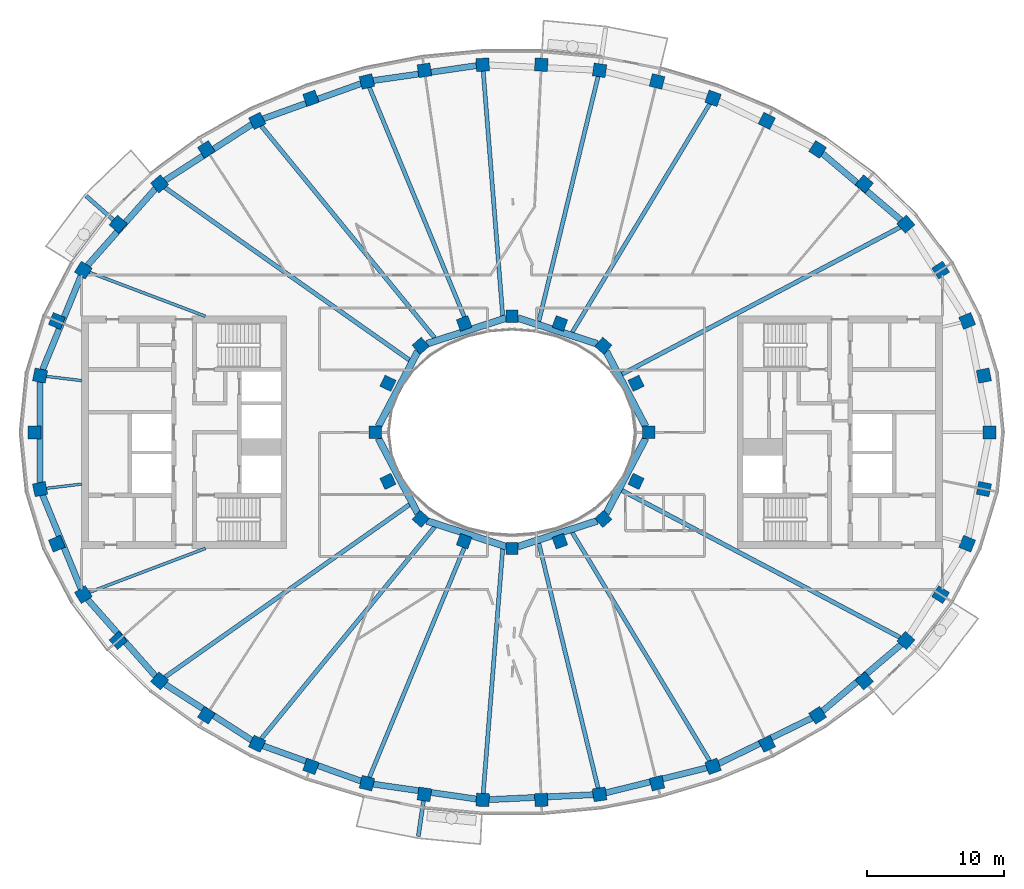
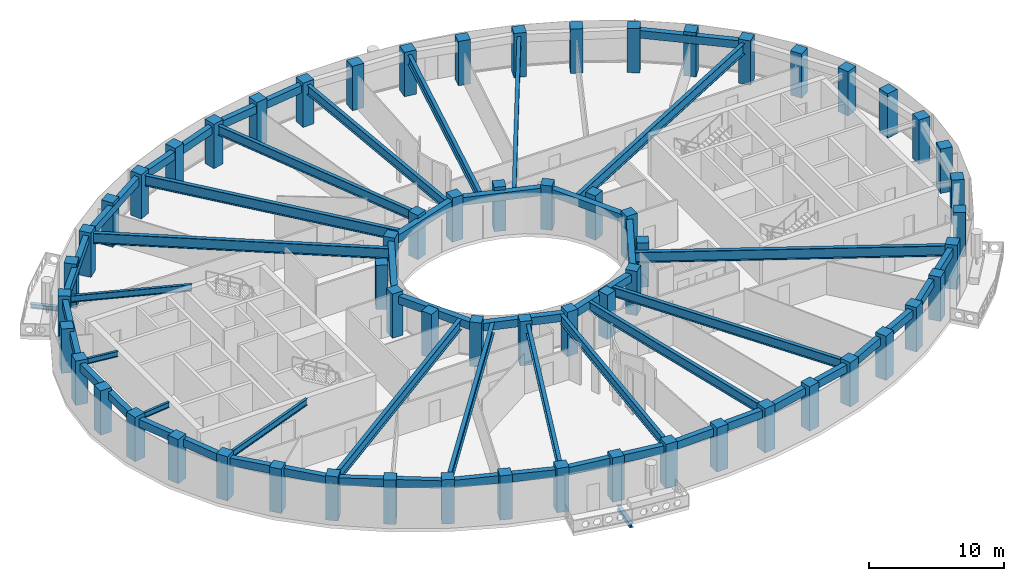
# One storey, part 1 of 16: 62 columns, 44 beams.
"""IFC4 building model written with IfcOpenShell, lengths in metres."""

from ifc_helpers import new_model, si_unit, direction, frame, origin, origin_2d, place, context, subcontext, project, spatial, rectangle, i_section, extrude, material, material_profile, profile_set, type_object, element, save


model = new_model("IFC4")

# Units and contexts
model_context = context("Model", 3, precision=1e-05, world=origin(), true_north=direction((0.0, 1.0)))
body_context = subcontext(model_context, "Body", "Model", "MODEL_VIEW")
ifc_project = project(units=[si_unit("LENGTHUNIT", "METRE"), si_unit("AREAUNIT", "SQUARE_METRE"), si_unit("VOLUMEUNIT", "CUBIC_METRE"), si_unit("PLANEANGLEUNIT", "RADIAN"), si_unit("MASSUNIT", "GRAM", prefix="KILO")], contexts=[model_context])

# Site, building, storey
site_placement = place(None, origin())
site = spatial("IfcSite", under=ifc_project, at=site_placement, CompositionType="ELEMENT")
building_placement = place(site_placement, origin())
building = spatial("IfcBuilding", under=site, at=building_placement, Name="Noorbagh Ring Tower", CompositionType="ELEMENT")
storey_placement = place(building_placement, frame((0.0, 0.0, 315.0)))
storey = spatial("IfcBuildingStorey", under=building, at=storey_placement, Name="L68", CompositionType="ELEMENT", Elevation=315.0)

# Columns
ifc_material_1 = material(Name="Concrete C50/60", Category="concrete")
ifc_material_profile_1 = material_profile(ifc_material_1, rectangle(XDim=0.949951171875, YDim=0.949951171875, at=origin_2d()), Name="RC950x950")
ifc_profile_set_1 = profile_set([ifc_material_profile_1], Name="Concrete C50/60")
column_type_1 = type_object("IfcColumnType", Name="STR-COL-RC950x950-C50-60", PredefinedType="COLUMN", material=ifc_profile_set_1)
for number, where, z_axis, x_axis, name in (
    (1, (34.944580078125, 0.0, 0.0), (0.0, 0.0, 1.0), (0.0, 1.0, 0.0), "L68/col/R1-01"),
    (2, (34.52685546875, 4.150634765625, 0.0), (0.0, 0.0, 1.0), (-0.19723040178, 0.9803571638, 0.0), "L68/col/R1-02"),
    (3, (33.30517578125, 8.1494140625, 0.0), (0.0, 0.0, 1.0), (-0.378989499959, 0.925400971969, 0.0), "L68/col/R1-03"),
    (4, (31.364990234375, 11.87109375, 0.0), (0.0, 0.0, 1.0), (-0.535190403059, 0.844731455833, 0.0), "L68/col/R1-04"),
    (5, (28.81884765625, 15.23046875, 0.0), (0.0, 0.0, 1.0), (-0.662635642662, 0.748941923699, 0.0), "L68/col/R1-05"),
    (6, (25.78271484375, 18.180419921875, 0.0), (0.0, 0.0, 1.0), (-0.763035199656, 0.646356932419, 0.0), "L68/col/R1-06"),
    (7, (22.362060546875, 20.699951171875, 0.0), (0.0, 0.0, 1.0), (-0.840247639643, 0.542202825586, 0.0), "L68/col/R1-07"),
    (8, (18.646240234375, 22.785400390625, 0.0), (0.0, 0.0, 1.0), (-0.898399080868, 0.439180021741, 0.0), "L68/col/R1-08"),
    (9, (14.70947265625, 24.44091796875, 0.0), (0.0, 0.0, 1.0), (-0.941024726094, 0.338337797003, 0.0), "L68/col/R1-09"),
    (10, (10.61328125, 25.673583984375, 0.0), (0.0, 0.0, 1.0), (-0.970829360981, 0.239771457553, 0.0), "L68/col/R1-10"),
    (11, (6.4091796875, 26.49072265625, 0.0), (0.0, 0.0, 1.0), (-0.989713114048, 0.143066249975, 0.0), "L68/col/R1-11"),
    (12, (2.14306640625, 26.89794921875, 0.0), (0.0, 0.0, 1.0), (-0.998868731212, 0.047552684538, 0.0), "L68/col/R1-12"),
    (13, (-2.14306640625, 26.89794921875, 0.0), (0.0, 0.0, 1.0), (-0.998868731212, -0.047552684538, 0.0), "L68/col/R1-13"),
    (14, (-6.4091796875, 26.49072265625, 0.0), (0.0, 0.0, 1.0), (-0.989713114048, -0.143066249975, 0.0), "L68/col/R1-14"),
    (15, (-10.61328125, 25.673583984375, 0.0), (0.0, 0.0, 1.0), (-0.970829360981, -0.239771457553, 0.0), "L68/col/R1-15"),
    (16, (-14.70947265625, 24.44091796875, 0.0), (0.0, 0.0, 1.0), (-0.941024726094, -0.338337797003, 0.0), "L68/col/R1-16"),
    (17, (-18.646240234375, 22.785400390625, 0.0), (0.0, 0.0, 1.0), (-0.898399080868, -0.439180021741, 0.0), "L68/col/R1-17"),
    (18, (-22.362060546875, 20.699951171875, 0.0), (0.0, 0.0, 1.0), (-0.840247639643, -0.542202825586, 0.0), "L68/col/R1-18"),
    (19, (-25.78271484375, 18.180419921875, 0.0), (0.0, 0.0, 1.0), (-0.763035199656, -0.646356932419, 0.0), "L68/col/R1-19"),
    (20, (-28.81884765625, 15.23046875, 0.0), (0.0, 0.0, 1.0), (-0.662635642662, -0.748941923699, 0.0), "L68/col/R1-20"),
    (21, (-31.364990234375, 11.87109375, 0.0), (0.0, 0.0, 1.0), (-0.535190403059, -0.844731455833, 0.0), "L68/col/R1-21"),
    (22, (-33.30517578125, 8.1494140625, 0.0), (0.0, 0.0, 1.0), (-0.378989499959, -0.925400971969, 0.0), "L68/col/R1-22"),
    (23, (-34.52685546875, 4.150634765625, 0.0), (0.0, 0.0, 1.0), (-0.19723040178, -0.9803571638, 0.0), "L68/col/R1-23"),
    (24, (-34.944580078125, 0.0, 0.0), (0.0, 0.0, 1.0), (0.0, -1.0, 0.0), "L68/col/R1-24"),
    (25, (-34.52685546875, -4.150634765625, 0.0), (0.0, 0.0, 1.0), (0.19723040178, -0.9803571638, 0.0), "L68/col/R1-25"),
    (26, (-33.30517578125, -8.1494140625, 0.0), (0.0, 0.0, 1.0), (0.378989499959, -0.925400971969, 0.0), "L68/col/R1-26"),
    (27, (-31.364990234375, -11.87109375, 0.0), (0.0, 0.0, 1.0), (0.535190403059, -0.844731455833, 0.0), "L68/col/R1-27"),
    (28, (-28.81884765625, -15.23046875, 0.0), (0.0, 0.0, 1.0), (0.662635642662, -0.748941923699, 0.0), "L68/col/R1-28"),
    (29, (-25.78271484375, -18.180419921875, 0.0), (0.0, 0.0, 1.0), (0.763035199656, -0.646356932419, 0.0), "L68/col/R1-29"),
    (30, (-22.362060546875, -20.699951171875, 0.0), (0.0, 0.0, 1.0), (0.840247639643, -0.542202825586, 0.0), "L68/col/R1-30"),
    (31, (-18.646240234375, -22.785400390625, 0.0), (0.0, 0.0, 1.0), (0.898399080868, -0.439180021741, 0.0), "L68/col/R1-31"),
    (32, (-14.70947265625, -24.44091796875, 0.0), (0.0, 0.0, 1.0), (0.941024726094, -0.338337797003, 0.0), "L68/col/R1-32"),
    (33, (-10.61328125, -25.673583984375, 0.0), (0.0, 0.0, 1.0), (0.970829360981, -0.239771457553, 0.0), "L68/col/R1-33"),
    (34, (-6.4091796875, -26.49072265625, 0.0), (0.0, 0.0, 1.0), (0.989713114048, -0.143066249975, 0.0), "L68/col/R1-34"),
    (35, (-2.14306640625, -26.89794921875, 0.0), (0.0, 0.0, 1.0), (0.998868731212, -0.047552684538, 0.0), "L68/col/R1-35"),
    (36, (2.14306640625, -26.89794921875, 0.0), (0.0, 0.0, 1.0), (0.998868731212, 0.047552684538, 0.0), "L68/col/R1-36"),
    (37, (6.4091796875, -26.49072265625, 0.0), (0.0, 0.0, 1.0), (0.989713114048, 0.143066249975, 0.0), "L68/col/R1-37"),
    (38, (10.61328125, -25.673583984375, 0.0), (0.0, 0.0, 1.0), (0.970829360981, 0.239771457553, 0.0), "L68/col/R1-38"),
    (39, (14.70947265625, -24.44091796875, 0.0), (0.0, 0.0, 1.0), (0.941024726094, 0.338337797003, 0.0), "L68/col/R1-39"),
    (40, (18.646240234375, -22.785400390625, 0.0), (0.0, 0.0, 1.0), (0.898399080868, 0.439180021741, 0.0), "L68/col/R1-40"),
    (41, (22.362060546875, -20.699951171875, 0.0), (0.0, 0.0, 1.0), (0.840247639643, 0.542202825586, 0.0), "L68/col/R1-41"),
    (42, (25.78271484375, -18.180419921875, 0.0), (0.0, 0.0, 1.0), (0.763035199656, 0.646356932419, 0.0), "L68/col/R1-42"),
    (43, (28.81884765625, -15.23046875, 0.0), (0.0, 0.0, 1.0), (0.662635642662, 0.748941923699, 0.0), "L68/col/R1-43"),
    (44, (31.364990234375, -11.87109375, 0.0), (0.0, 0.0, 1.0), (0.535190403059, 0.844731455833, 0.0), "L68/col/R1-44"),
    (45, (33.30517578125, -8.1494140625, 0.0), (0.0, 0.0, 1.0), (0.378989499959, 0.925400971969, 0.0), "L68/col/R1-45"),
    (46, (34.52685546875, -4.150634765625, 0.0), (0.0, 0.0, 1.0), (0.19723040178, 0.9803571638, 0.0), "L68/col/R1-46"),
):
    element("IfcColumn", number, at=place(storey_placement, frame(where, z_axis=z_axis, x_axis=x_axis)), inside=storey, type_object=column_type_1, Name=name, PredefinedType="COLUMN", context=body_context, shape_type="SweptSolid", body=[
        extrude(rectangle(XDim=0.949951171875, YDim=0.949951171875, at=origin_2d()), origin(), (0.0, 0.0, 1.0), 4.0),
    ])
ifc_material_2 = material(Name="Concrete C50/60", Category="concrete")
ifc_material_profile_2 = material_profile(ifc_material_2, rectangle(XDim=0.89990234375, YDim=0.89990234375, at=origin_2d()), Name="RC900x900")
ifc_profile_set_2 = profile_set([ifc_material_profile_2], Name="Concrete C50/60")
column_type_2 = type_object("IfcColumnType", Name="STR-ICOL-RC900x900-C50-60", PredefinedType="COLUMN", material=ifc_profile_set_2)
for number, where, z_axis, x_axis, name in (
    (47, (10.00830078125, 0.0, 0.0), (0.0, 0.0, 1.0), (0.0, 1.0, 0.0), "L68/col/IR2-W01"),
    (48, (9.07568359375, 3.58837890625, 0.0), (0.0, 0.0, 1.0), (-0.428666979171, 0.903462573087, 0.0), "L68/col/IR2-W03"),
    (49, (6.68212890625, 6.333740234375, 0.0), (0.0, 0.0, 1.0), (-0.75102249095, 0.660276622399, 0.0), "L68/col/IR2-W05"),
    (50, (3.5009765625, 7.967041015625, 0.0), (0.0, 0.0, 1.0), (-0.939019578916, 0.343863679984, 0.0), "L68/col/IR2-W07"),
    (51, (0.0, 8.5029296875, 0.0), (0.0, 0.0, 1.0), (-1.0, 0.0, 0.0), "L68/col/IR2-W09"),
    (52, (-3.5009765625, 7.967041015625, 0.0), (0.0, 0.0, 1.0), (-0.939019578916, -0.343863679984, 0.0), "L68/col/IR2-W11"),
    (53, (-6.68212890625, 6.333740234375, 0.0), (0.0, 0.0, 1.0), (-0.75102249095, -0.660276622399, 0.0), "L68/col/IR2-W13"),
    (54, (-9.07568359375, 3.58837890625, 0.0), (0.0, 0.0, 1.0), (-0.428666979171, -0.903462573087, 0.0), "L68/col/IR2-W15"),
    (55, (-10.00830078125, 0.0, 0.0), (0.0, 0.0, 1.0), (0.0, -1.0, 0.0), "L68/col/IR2-W17"),
    (56, (-9.07568359375, -3.58837890625, 0.0), (0.0, 0.0, 1.0), (0.428666979171, -0.903462573087, 0.0), "L68/col/IR2-W19"),
    (57, (-6.68212890625, -6.333740234375, 0.0), (0.0, 0.0, 1.0), (0.75102249095, -0.660276622399, 0.0), "L68/col/IR2-W21"),
    (58, (-3.5009765625, -7.967041015625, 0.0), (0.0, 0.0, 1.0), (0.939019578916, -0.343863679984, 0.0), "L68/col/IR2-W23"),
    (59, (0.0, -8.5029296875, 0.0), (0.0, 0.0, 1.0), (1.0, 0.0, 0.0), "L68/col/IR2-W25"),
    (60, (3.5009765625, -7.967041015625, 0.0), (0.0, 0.0, 1.0), (0.939019578916, 0.343863679984, 0.0), "L68/col/IR2-W27"),
    (61, (6.68212890625, -6.333740234375, 0.0), (0.0, 0.0, 1.0), (0.75102249095, 0.660276622399, 0.0), "L68/col/IR2-W29"),
    (62, (9.07568359375, -3.58837890625, 0.0), (0.0, 0.0, 1.0), (0.428666979171, 0.903462573087, 0.0), "L68/col/IR2-W31"),
):
    element("IfcColumn", number, at=place(storey_placement, frame(where, z_axis=z_axis, x_axis=x_axis)), inside=storey, type_object=column_type_2, Name=name, PredefinedType="COLUMN", context=body_context, shape_type="SweptSolid", body=[
        extrude(rectangle(XDim=0.89990234375, YDim=0.89990234375, at=origin_2d()), origin(), (0.0, 0.0, 1.0), 4.0),
    ])

# Beams
ifc_material_3 = material(Name="Steel S355", Category="steel")
ifc_material_profile_3 = material_profile(ifc_material_3, i_section(OverallWidth=0.300048828125, OverallDepth=0.39990234375, WebThickness=0.013427734375, FlangeThickness=0.02392578125, FilletRadius=0.027099609375, at=origin_2d()), Name="HEB400")
ifc_profile_set_3 = profile_set([ifc_material_profile_3], Name="Steel S355")
beam_type_1 = type_object("IfcBeamType", Name="STR-BALCONY-BRACKET-HEB400", PredefinedType="BEAM", material=ifc_profile_set_3)
beam_1_placement = place(storey_placement, frame((-29.15966796875, 15.531982421875, -0.5), z_axis=(-0.749056248736, 0.662506404671, 0.0), x_axis=(-0.662506404671, -0.749056248736, 0.0)))
element("IfcBeam", 63, at=beam_1_placement, inside=storey, type_object=beam_type_1, Name="Balcony bracket beam BN06", PredefinedType="BEAM", context=body_context, shape_type="SweptSolid", body=[
    extrude(i_section(OverallWidth=0.300048828125, OverallDepth=0.39990234375, WebThickness=0.013427734375, FlangeThickness=0.02392578125, FilletRadius=0.027099609375, at=origin_2d()), origin(), (0.0, 0.0, 1.0), 2.654296875),
])
beam_2_placement = place(storey_placement, frame((-6.474365234375, -26.941162109375, -0.5), z_axis=(-0.143047035154, -0.989715891422, 0.0), x_axis=(0.989715891422, -0.143047035154, 0.0)))
element("IfcBeam", 64, at=beam_2_placement, inside=storey, type_object=beam_type_1, Name="Balcony bracket beam BS03", PredefinedType="BEAM", context=body_context, shape_type="SweptSolid", body=[
    extrude(i_section(OverallWidth=0.300048828125, OverallDepth=0.39990234375, WebThickness=0.013427734375, FlangeThickness=0.02392578125, FilletRadius=0.027099609375, at=origin_2d()), origin(), (0.0, 0.0, 1.0), 2.64892578125),
])
ifc_material_4 = material(Name="Steel S355", Category="steel")
ifc_material_profile_4 = material_profile(ifc_material_4, i_section(OverallWidth=0.199951171875, OverallDepth=0.5, WebThickness=0.01025390625, FlangeThickness=0.01611328125, FilletRadius=0.02099609375, at=origin_2d()), Name="IPE500")
ifc_profile_set_4 = profile_set([ifc_material_profile_4], Name="Steel S355")
beam_type_2 = type_object("IfcBeamType", Name="STR-RAD-IPE500", PredefinedType="BEAM", material=ifc_profile_set_4)
for number, where, z_axis, x_axis, name in (
    (65, (-34.073486328125, 4.09619140625, 3.449951171875), (0.99285071941, -0.11936267828, 0.0), (0.11936267828, 0.99285071941, 0.0), "L68/bm/RD23"),
    (66, (-34.073486328125, -4.09619140625, 3.449951171875), (0.99285071941, 0.11936267828, 0.0), (-0.11936267828, 0.99285071941, 0.0), "L68/bm/RD25"),
):
    element("IfcBeam", number, at=place(storey_placement, frame(where, z_axis=z_axis, x_axis=x_axis)), inside=storey, type_object=beam_type_2, Name=name, PredefinedType="BEAM", context=body_context, shape_type="SweptSolid", body=[
        extrude(i_section(OverallWidth=0.199951171875, OverallDepth=0.5, WebThickness=0.01025390625, FlangeThickness=0.01611328125, FilletRadius=0.02099609375, at=origin_2d()), origin(), (0.0, 0.0, 1.0), 2.61181640625),
    ])
ifc_material_5 = material(Name="Steel S355", Category="steel")
ifc_material_profile_5 = material_profile(ifc_material_5, i_section(OverallWidth=0.219970703125, OverallDepth=0.60009765625, WebThickness=0.011962890625, FlangeThickness=0.01904296875, FilletRadius=0.02392578125, at=origin_2d()), Name="IPE600")
ifc_profile_set_5 = profile_set([ifc_material_profile_5], Name="Steel S355")
beam_type_3 = type_object("IfcBeamType", Name="STR-RAD-IPE600", PredefinedType="BEAM", material=ifc_profile_set_5)
for number, where, z_axis, x_axis, name in (
    (67, (-30.93017578125, 11.706298828125, 3.39990234375), (0.935258347676, -0.353965850192, 0.0), (0.353965850192, 0.935258347676, 0.0), "L68/bm/RD21"),
    (68, (-30.93017578125, -11.706298828125, 3.39990234375), (0.935258347676, 0.353965850192, 0.0), (-0.353965850192, 0.935258347676, 0.0), "L68/bm/RD27"),
):
    element("IfcBeam", number, at=place(storey_placement, frame(where, z_axis=z_axis, x_axis=x_axis)), inside=storey, type_object=beam_type_3, Name=name, PredefinedType="BEAM", context=body_context, shape_type="SweptSolid", body=[
        extrude(i_section(OverallWidth=0.219970703125, OverallDepth=0.60009765625, WebThickness=0.011962890625, FlangeThickness=0.01904296875, FilletRadius=0.02392578125, at=origin_2d()), origin(), (0.0, 0.0, 1.0), 9.078125),
    ])
ifc_material_6 = material(Name="Steel S355", Category="steel")
ifc_material_profile_6 = material_profile(ifc_material_6, i_section(OverallWidth=0.300048828125, OverallDepth=0.85009765625, WebThickness=0.013916015625, FlangeThickness=0.028076171875, at=origin_2d()), Name="PG850x300x14x28")
ifc_profile_set_6 = profile_set([ifc_material_profile_6], Name="Steel S355")
beam_type_4 = type_object("IfcBeamType", Name="STR-RAD-PG850x300x14x28", PredefinedType="BEAM", material=ifc_profile_set_6)
beam_3_placement = place(storey_placement, frame((14.469970703125, 24.04296875, 3.27490234375), z_axis=(-0.515650204939, -0.856799198264, 0.0), x_axis=(0.856799198264, -0.515650204939, 0.0)))
element("IfcBeam", 69, at=beam_3_placement, inside=storey, type_object=beam_type_4, Name="L68/bm/RD09", PredefinedType="BEAM", context=body_context, shape_type="SweptSolid", body=[
    extrude(i_section(OverallWidth=0.300048828125, OverallDepth=0.85009765625, WebThickness=0.013916015625, FlangeThickness=0.028076171875, at=origin_2d()), origin(), (0.0, 0.0, 1.0), 19.522705078125),
])
beam_4_placement = place(storey_placement, frame((6.3017578125, 26.046630859375, 3.27490234375), z_axis=(-0.235155145901, -0.97195784752, 0.0), x_axis=(0.97195784752, -0.235155145901, 0.0)))
element("IfcBeam", 70, at=beam_4_placement, inside=storey, type_object=beam_type_4, Name="L68/bm/RD11", PredefinedType="BEAM", context=body_context, shape_type="SweptSolid", body=[
    extrude(i_section(OverallWidth=0.300048828125, OverallDepth=0.85009765625, WebThickness=0.013916015625, FlangeThickness=0.028076171875, at=origin_2d()), origin(), (0.0, 0.0, 1.0), 18.456298828125),
])
beam_5_placement = place(storey_placement, frame((-2.10693359375, 26.444091796875, 3.27490234375), z_axis=(0.079423498712, -0.996840964172, 0.0), x_axis=(0.996840964172, 0.079423498712, 0.0)))
element("IfcBeam", 71, at=beam_5_placement, inside=storey, type_object=beam_type_4, Name="L68/bm/RD13", PredefinedType="BEAM", context=body_context, shape_type="SweptSolid", body=[
    extrude(i_section(OverallWidth=0.300048828125, OverallDepth=0.85009765625, WebThickness=0.013916015625, FlangeThickness=0.028076171875, at=origin_2d()), origin(), (0.0, 0.0, 1.0), 17.976318359375),
])
for number, where, z_axis, x_axis, name in (
    (72, (-10.437255859375, 25.248046875, 3.27490234375), (0.382035124729, -0.924147803911, 0.0), (0.924147803911, 0.382035124729, 0.0), "L68/bm/RD15"),
    (73, (-10.437255859375, -25.248046875, 3.27490234375), (0.382035124729, 0.924147803911, 0.0), (-0.924147803911, 0.382035124729, 0.0), "L68/bm/RD33"),
):
    element("IfcBeam", number, at=place(storey_placement, frame(where, z_axis=z_axis, x_axis=x_axis)), inside=storey, type_object=beam_type_4, Name=name, PredefinedType="BEAM", context=body_context, shape_type="SweptSolid", body=[
        extrude(i_section(OverallWidth=0.300048828125, OverallDepth=0.85009765625, WebThickness=0.013916015625, FlangeThickness=0.028076171875, at=origin_2d()), origin(), (0.0, 0.0, 1.0), 18.977294921875),
    ])
beam_6_placement = place(storey_placement, frame((-2.10693359375, -26.444091796875, 3.27490234375), z_axis=(0.079423498712, 0.996840964172, 0.0), x_axis=(-0.996840964172, 0.079423498712, 0.0)))
element("IfcBeam", 74, at=beam_6_placement, inside=storey, type_object=beam_type_4, Name="L68/bm/RD35", PredefinedType="BEAM", context=body_context, shape_type="SweptSolid", body=[
    extrude(i_section(OverallWidth=0.300048828125, OverallDepth=0.85009765625, WebThickness=0.013916015625, FlangeThickness=0.028076171875, at=origin_2d()), origin(), (0.0, 0.0, 1.0), 17.976318359375),
])
beam_7_placement = place(storey_placement, frame((6.3017578125, -26.046630859375, 3.27490234375), z_axis=(-0.235155145901, 0.97195784752, 0.0), x_axis=(-0.97195784752, -0.235155145901, 0.0)))
element("IfcBeam", 75, at=beam_7_placement, inside=storey, type_object=beam_type_4, Name="L68/bm/RD37", PredefinedType="BEAM", context=body_context, shape_type="SweptSolid", body=[
    extrude(i_section(OverallWidth=0.300048828125, OverallDepth=0.85009765625, WebThickness=0.013916015625, FlangeThickness=0.028076171875, at=origin_2d()), origin(), (0.0, 0.0, 1.0), 18.456298828125),
])
beam_8_placement = place(storey_placement, frame((14.469970703125, -24.04296875, 3.27490234375), z_axis=(-0.515650204939, 0.856799198264, 0.0), x_axis=(-0.856799198264, -0.515650204939, 0.0)))
element("IfcBeam", 76, at=beam_8_placement, inside=storey, type_object=beam_type_4, Name="L68/bm/RD39", PredefinedType="BEAM", context=body_context, shape_type="SweptSolid", body=[
    extrude(i_section(OverallWidth=0.300048828125, OverallDepth=0.85009765625, WebThickness=0.013916015625, FlangeThickness=0.028076171875, at=origin_2d()), origin(), (0.0, 0.0, 1.0), 19.522705078125),
])
ifc_material_7 = material(Name="Steel S355", Category="steel")
ifc_material_profile_7 = material_profile(ifc_material_7, i_section(OverallWidth=0.320068359375, OverallDepth=0.949951171875, WebThickness=0.01611328125, FlangeThickness=0.030029296875, at=origin_2d()), Name="PG950x320x16x30")
ifc_profile_set_7 = profile_set([ifc_material_profile_7], Name="Steel S355")
beam_type_5 = type_object("IfcBeamType", Name="STR-RAD-PG950x320x16x30", PredefinedType="BEAM", material=ifc_profile_set_7)
beam_9_placement = place(storey_placement, frame((28.404296875, 15.011474609375, 3.22509765625), z_axis=(-0.884125650742, -0.467249220118, 0.0), x_axis=(0.467249220118, -0.884125650742, 0.0)))
element("IfcBeam", 77, at=beam_9_placement, inside=storey, type_object=beam_type_5, Name="L68/bm/RD05", PredefinedType="BEAM", context=body_context, shape_type="SweptSolid", body=[
    extrude(i_section(OverallWidth=0.320068359375, OverallDepth=0.949951171875, WebThickness=0.01611328125, FlangeThickness=0.030029296875, at=origin_2d()), origin(), (0.0, 0.0, 1.0), 23.0361328125),
])
beam_10_placement = place(storey_placement, frame((-18.349853515625, 22.42333984375, 3.22509765625), z_axis=(0.633310080716, -0.773898146828, 0.0), x_axis=(0.773898146828, 0.633310080716, 0.0)))
element("IfcBeam", 78, at=beam_10_placement, inside=storey, type_object=beam_type_5, Name="L68/bm/RD17", PredefinedType="BEAM", context=body_context, shape_type="SweptSolid", body=[
    extrude(i_section(OverallWidth=0.320068359375, OverallDepth=0.949951171875, WebThickness=0.01611328125, FlangeThickness=0.030029296875, at=origin_2d()), origin(), (0.0, 0.0, 1.0), 20.045166015625),
])
for number, where, z_axis, x_axis, name in (
    (79, (-25.39794921875, 17.908935546875, 3.22509765625), (0.817258066594, -0.576271856494, 0.0), (0.576271856494, 0.817258066594, 0.0), "L68/bm/RD19"),
    (80, (-25.39794921875, -17.908935546875, 3.22509765625), (0.817258066594, 0.576271856494, 0.0), (-0.576271856494, 0.817258066594, 0.0), "L68/bm/RD29"),
):
    element("IfcBeam", number, at=place(storey_placement, frame(where, z_axis=z_axis, x_axis=x_axis)), inside=storey, type_object=beam_type_5, Name=name, PredefinedType="BEAM", context=body_context, shape_type="SweptSolid", body=[
        extrude(i_section(OverallWidth=0.320068359375, OverallDepth=0.949951171875, WebThickness=0.01611328125, FlangeThickness=0.030029296875, at=origin_2d()), origin(), (0.0, 0.0, 1.0), 21.907958984375),
    ])
beam_11_placement = place(storey_placement, frame((-18.349853515625, -22.42333984375, 3.22509765625), z_axis=(0.633310080716, 0.773898146828, 0.0), x_axis=(-0.773898146828, 0.633310080716, 0.0)))
element("IfcBeam", 81, at=beam_11_placement, inside=storey, type_object=beam_type_5, Name="L68/bm/RD31", PredefinedType="BEAM", context=body_context, shape_type="SweptSolid", body=[
    extrude(i_section(OverallWidth=0.320068359375, OverallDepth=0.949951171875, WebThickness=0.01611328125, FlangeThickness=0.030029296875, at=origin_2d()), origin(), (0.0, 0.0, 1.0), 20.045166015625),
])
beam_12_placement = place(storey_placement, frame((28.404296875, -15.011474609375, 3.22509765625), z_axis=(-0.884125650742, 0.467249220118, 0.0), x_axis=(-0.467249220118, -0.884125650742, 0.0)))
element("IfcBeam", 82, at=beam_12_placement, inside=storey, type_object=beam_type_5, Name="L68/bm/RD43", PredefinedType="BEAM", context=body_context, shape_type="SweptSolid", body=[
    extrude(i_section(OverallWidth=0.320068359375, OverallDepth=0.949951171875, WebThickness=0.01611328125, FlangeThickness=0.030029296875, at=origin_2d()), origin(), (0.0, 0.0, 1.0), 23.0361328125),
])
ifc_material_8 = material(Name="Concrete C40/50", Category="concrete")
ifc_material_profile_8 = material_profile(ifc_material_8, rectangle(XDim=0.5, YDim=0.699951171875, at=origin_2d()), Name="RC500x700")
ifc_profile_set_8 = profile_set([ifc_material_profile_8], Name="Concrete C40/50")
beam_type_6 = type_object("IfcBeamType", Name="STR-RB-RC500x700-C40-50", PredefinedType="BEAM", material=ifc_profile_set_8)
beam_13_placement = place(storey_placement, frame((9.781494140625, 0.432373046875, 3.35009765625), z_axis=(-0.464959609013, 0.885331893691, 0.0), x_axis=(-0.885331893691, -0.464959609013, 0.0)))
element("IfcBeam", 83, at=beam_13_placement, inside=storey, type_object=beam_type_6, Name="L68/bm/RG01", PredefinedType="BEAM", context=body_context, shape_type="SweptSolid", body=[
    extrude(rectangle(XDim=0.5, YDim=0.699951171875, at=origin_2d()), origin(), (0.0, 0.0, 1.0), 6.203857421875),
])
for number, where, z_axis, x_axis, name in (
    (84, (6.235107421875, 6.47900390625, 3.35009765625), (-0.951146317375, 0.308740478303, 0.0), (-0.308740478303, -0.951146317375, 0.0), "L68/bm/RG03"),
    (85, (-0.430908203125, 8.363037109375, 3.35009765625), (-0.951146317375, -0.308740478303, 0.0), (0.308740478303, -0.951146317375, 0.0), "L68/bm/RG05"),
):
    element("IfcBeam", number, at=place(storey_placement, frame(where, z_axis=z_axis, x_axis=x_axis)), inside=storey, type_object=beam_type_6, Name=name, PredefinedType="BEAM", context=body_context, shape_type="SweptSolid", body=[
        extrude(rectangle(XDim=0.5, YDim=0.699951171875, at=origin_2d()), origin(), (0.0, 0.0, 1.0), 6.102294921875),
    ])
for number, where, z_axis, x_axis, name in (
    (86, (-6.89697265625, 5.9248046875, 3.35009765625), (-0.464959609013, -0.885331893691, 0.0), (0.885331893691, -0.464959609013, 0.0), "L68/bm/RG07"),
    (87, (-9.781494140625, -0.432373046875, 3.35009765625), (0.464959609013, -0.885331893691, 0.0), (0.885331893691, 0.464959609013, 0.0), "L68/bm/RG09"),
):
    element("IfcBeam", number, at=place(storey_placement, frame(where, z_axis=z_axis, x_axis=x_axis)), inside=storey, type_object=beam_type_6, Name=name, PredefinedType="BEAM", context=body_context, shape_type="SweptSolid", body=[
        extrude(rectangle(XDim=0.5, YDim=0.699951171875, at=origin_2d()), origin(), (0.0, 0.0, 1.0), 6.203857421875),
    ])
for number, where, z_axis, x_axis, name in (
    (88, (-6.235107421875, -6.47900390625, 3.35009765625), (0.951146317375, -0.308740478303, 0.0), (0.308740478303, 0.951146317375, 0.0), "L68/bm/RG11"),
    (89, (0.430908203125, -8.363037109375, 3.35009765625), (0.951146317375, 0.308740478303, 0.0), (-0.308740478303, 0.951146317375, 0.0), "L68/bm/RG13"),
):
    element("IfcBeam", number, at=place(storey_placement, frame(where, z_axis=z_axis, x_axis=x_axis)), inside=storey, type_object=beam_type_6, Name=name, PredefinedType="BEAM", context=body_context, shape_type="SweptSolid", body=[
        extrude(rectangle(XDim=0.5, YDim=0.699951171875, at=origin_2d()), origin(), (0.0, 0.0, 1.0), 6.102294921875),
    ])
beam_14_placement = place(storey_placement, frame((6.89697265625, -5.9248046875, 3.35009765625), z_axis=(0.464959609013, 0.885331893691, 0.0), x_axis=(-0.885331893691, 0.464959609013, 0.0)))
element("IfcBeam", 90, at=beam_14_placement, inside=storey, type_object=beam_type_6, Name="L68/bm/RG15", PredefinedType="BEAM", context=body_context, shape_type="SweptSolid", body=[
    extrude(rectangle(XDim=0.5, YDim=0.699951171875, at=origin_2d()), origin(), (0.0, 0.0, 1.0), 6.203857421875),
])
ifc_material_9 = material(Name="Concrete C40/50", Category="concrete")
ifc_material_profile_9 = material_profile(ifc_material_9, rectangle(XDim=0.449951171875, YDim=0.699951171875, at=origin_2d()), Name="RC450x700")
ifc_profile_set_9 = profile_set([ifc_material_profile_9], Name="Concrete C40/50")
beam_type_7 = type_object("IfcBeamType", Name="STR-SB-RC450x700-C40-50", PredefinedType="BEAM", material=ifc_profile_set_9)
beam_15_placement = place(storey_placement, frame((28.4677734375, 15.52783203125, 3.35009765625), z_axis=(-0.763022759798, 0.646371617594, 0.0), x_axis=(-0.646371617594, -0.763022759798, 0.0)))
element("IfcBeam", 91, at=beam_15_placement, inside=storey, type_object=beam_type_7, Name="L68/bm/SP05", PredefinedType="BEAM", context=body_context, shape_type="SweptSolid", body=[
    extrude(rectangle(XDim=0.449951171875, YDim=0.699951171875, at=origin_2d()), origin(), (0.0, 0.0, 1.0), 7.54296875),
])
beam_16_placement = place(storey_placement, frame((-2.595703125, 26.83251953125, 3.35009765625), z_axis=(-0.989713688826, -0.14306227368, 0.0), x_axis=(0.14306227368, -0.989713688826, 0.0)))
element("IfcBeam", 92, at=beam_16_placement, inside=storey, type_object=beam_type_7, Name="L68/bm/SP13", PredefinedType="BEAM", context=body_context, shape_type="SweptSolid", body=[
    extrude(rectangle(XDim=0.449951171875, YDim=0.699951171875, at=origin_2d()), origin(), (0.0, 0.0, 1.0), 7.6435546875),
])
beam_17_placement = place(storey_placement, frame((-11.043701171875, 25.518798828125, 3.35009765625), z_axis=(-0.941030260788, -0.338322402866, 0.0), x_axis=(0.338322402866, -0.941030260788, 0.0)))
element("IfcBeam", 93, at=beam_17_placement, inside=storey, type_object=beam_type_7, Name="L68/bm/SP15", PredefinedType="BEAM", context=body_context, shape_type="SweptSolid", body=[
    extrude(rectangle(XDim=0.449951171875, YDim=0.699951171875, at=origin_2d()), origin(), (0.0, 0.0, 1.0), 7.62109375),
])
beam_18_placement = place(storey_placement, frame((-19.031494140625, 22.536865234375, 3.35009765625), z_axis=(-0.840242183288, -0.542211281165, 0.0), x_axis=(0.542211281165, -0.840242183288, 0.0)))
element("IfcBeam", 94, at=beam_18_placement, inside=storey, type_object=beam_type_7, Name="L68/bm/SP17", PredefinedType="BEAM", context=body_context, shape_type="SweptSolid", body=[
    extrude(rectangle(XDim=0.449951171875, YDim=0.699951171875, at=origin_2d()), origin(), (0.0, 0.0, 1.0), 7.57568359375),
])
beam_19_placement = place(storey_placement, frame((-26.08740234375, 17.8359375, 3.35009765625), z_axis=(-0.662645487246, -0.748933213466, 0.0), x_axis=(0.748933213466, -0.662645487246, 0.0)))
element("IfcBeam", 95, at=beam_19_placement, inside=storey, type_object=beam_type_7, Name="L68/bm/SP19", PredefinedType="BEAM", context=body_context, shape_type="SweptSolid", body=[
    extrude(rectangle(XDim=0.449951171875, YDim=0.699951171875, at=origin_2d()), origin(), (0.0, 0.0, 1.0), 7.50341796875),
])
beam_20_placement = place(storey_placement, frame((-31.540283203125, 11.443115234375, 3.35009765625), z_axis=(-0.378989151692, -0.925401114598, 0.0), x_axis=(0.925401114598, -0.378989151692, 0.0)))
element("IfcBeam", 96, at=beam_20_placement, inside=storey, type_object=beam_type_7, Name="L68/bm/SP21", PredefinedType="BEAM", context=body_context, shape_type="SweptSolid", body=[
    extrude(rectangle(XDim=0.449951171875, YDim=0.699951171875, at=origin_2d()), origin(), (0.0, 0.0, 1.0), 7.41650390625),
])
beam_21_placement = place(storey_placement, frame((-34.52685546875, 3.68603515625, 3.35009765625), z_axis=(0.0, -1.0, 0.0), x_axis=(1.0, 0.0, 0.0)))
element("IfcBeam", 97, at=beam_21_placement, inside=storey, type_object=beam_type_7, Name="L68/bm/SP23", PredefinedType="BEAM", context=body_context, shape_type="SweptSolid", body=[
    extrude(rectangle(XDim=0.449951171875, YDim=0.699951171875, at=origin_2d()), origin(), (0.0, 0.0, 1.0), 7.3720703125),
])
beam_22_placement = place(storey_placement, frame((-34.35107421875, -4.579833984375, 3.35009765625), z_axis=(0.378989151692, -0.925401114598, 0.0), x_axis=(0.925401114598, 0.378989151692, 0.0)))
element("IfcBeam", 98, at=beam_22_placement, inside=storey, type_object=beam_type_7, Name="L68/bm/SP25", PredefinedType="BEAM", context=body_context, shape_type="SweptSolid", body=[
    extrude(rectangle(XDim=0.449951171875, YDim=0.699951171875, at=origin_2d()), origin(), (0.0, 0.0, 1.0), 7.41650390625),
])
beam_23_placement = place(storey_placement, frame((-31.0595703125, -12.21630859375, 3.35009765625), z_axis=(0.662645487246, -0.748933213466, 0.0), x_axis=(0.748933213466, 0.662645487246, 0.0)))
element("IfcBeam", 99, at=beam_23_placement, inside=storey, type_object=beam_type_7, Name="L68/bm/SP27", PredefinedType="BEAM", context=body_context, shape_type="SweptSolid", body=[
    extrude(rectangle(XDim=0.449951171875, YDim=0.699951171875, at=origin_2d()), origin(), (0.0, 0.0, 1.0), 7.50341796875),
])
beam_24_placement = place(storey_placement, frame((-25.39697265625, -18.42919921875, 3.35009765625), z_axis=(0.840242183288, -0.542211281165, 0.0), x_axis=(0.542211281165, 0.840242183288, 0.0)))
element("IfcBeam", 100, at=beam_24_placement, inside=storey, type_object=beam_type_7, Name="L68/bm/SP29", PredefinedType="BEAM", context=body_context, shape_type="SweptSolid", body=[
    extrude(rectangle(XDim=0.449951171875, YDim=0.699951171875, at=origin_2d()), origin(), (0.0, 0.0, 1.0), 7.57568359375),
])
beam_25_placement = place(storey_placement, frame((-18.21533203125, -22.9404296875, 3.35009765625), z_axis=(0.941030260788, -0.338322402866, 0.0), x_axis=(0.338322402866, 0.941030260788, 0.0)))
element("IfcBeam", 101, at=beam_25_placement, inside=storey, type_object=beam_type_7, Name="L68/bm/SP31", PredefinedType="BEAM", context=body_context, shape_type="SweptSolid", body=[
    extrude(rectangle(XDim=0.449951171875, YDim=0.699951171875, at=origin_2d()), origin(), (0.0, 0.0, 1.0), 7.62109375),
])
beam_26_placement = place(storey_placement, frame((-10.16064453125, -25.739013671875, 3.35009765625), z_axis=(0.989713688826, -0.14306227368, 0.0), x_axis=(0.14306227368, 0.989713688826, 0.0)))
element("IfcBeam", 102, at=beam_26_placement, inside=storey, type_object=beam_type_7, Name="L68/bm/SP33", PredefinedType="BEAM", context=body_context, shape_type="SweptSolid", body=[
    extrude(rectangle(XDim=0.449951171875, YDim=0.699951171875, at=origin_2d()), origin(), (0.0, 0.0, 1.0), 7.6435546875),
])
beam_27_placement = place(storey_placement, frame((-1.6865234375, -26.876220703125, 3.35009765625), z_axis=(0.998869653919, 0.047533298648, 0.0), x_axis=(-0.047533298648, 0.998869653919, 0.0)))
element("IfcBeam", 103, at=beam_27_placement, inside=storey, type_object=beam_type_7, Name="L68/bm/SP35", PredefinedType="BEAM", context=body_context, shape_type="SweptSolid", body=[
    extrude(rectangle(XDim=0.449951171875, YDim=0.699951171875, at=origin_2d()), origin(), (0.0, 0.0, 1.0), 7.647705078125),
])
beam_28_placement = place(storey_placement, frame((6.853271484375, -26.381103515625, 3.35009765625), z_axis=(0.970830763324, 0.239765779427, 0.0), x_axis=(-0.239765779427, 0.970830763324, 0.0)))
element("IfcBeam", 104, at=beam_28_placement, inside=storey, type_object=beam_type_7, Name="L68/bm/SP37", PredefinedType="BEAM", context=body_context, shape_type="SweptSolid", body=[
    extrude(rectangle(XDim=0.449951171875, YDim=0.699951171875, at=origin_2d()), origin(), (0.0, 0.0, 1.0), 7.634765625),
])
beam_29_placement = place(storey_placement, frame((15.120849609375, -24.23974609375, 3.35009765625), z_axis=(0.898405762579, 0.43916635318, 0.0), x_axis=(-0.43916635318, 0.898405762579, 0.0)))
element("IfcBeam", 105, at=beam_29_placement, inside=storey, type_object=beam_type_7, Name="L68/bm/SP39", PredefinedType="BEAM", context=body_context, shape_type="SweptSolid", body=[
    extrude(rectangle(XDim=0.449951171875, YDim=0.699951171875, at=origin_2d()), origin(), (0.0, 0.0, 1.0), 7.6015625),
])
beam_30_placement = place(storey_placement, frame((22.71240234375, -20.4033203125, 3.35009765625), z_axis=(0.763022759798, 0.646371617594, 0.0), x_axis=(-0.646371617594, 0.763022759798, 0.0)))
element("IfcBeam", 106, at=beam_30_placement, inside=storey, type_object=beam_type_7, Name="L68/bm/SP41", PredefinedType="BEAM", context=body_context, shape_type="SweptSolid", body=[
    extrude(rectangle(XDim=0.449951171875, YDim=0.699951171875, at=origin_2d()), origin(), (0.0, 0.0, 1.0), 7.54296875),
])

save(model, "model.ifc")
